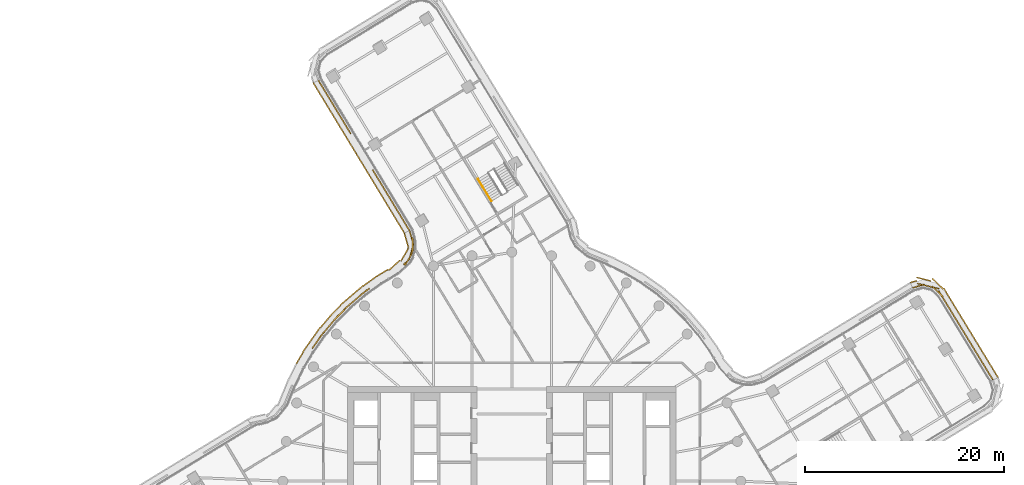
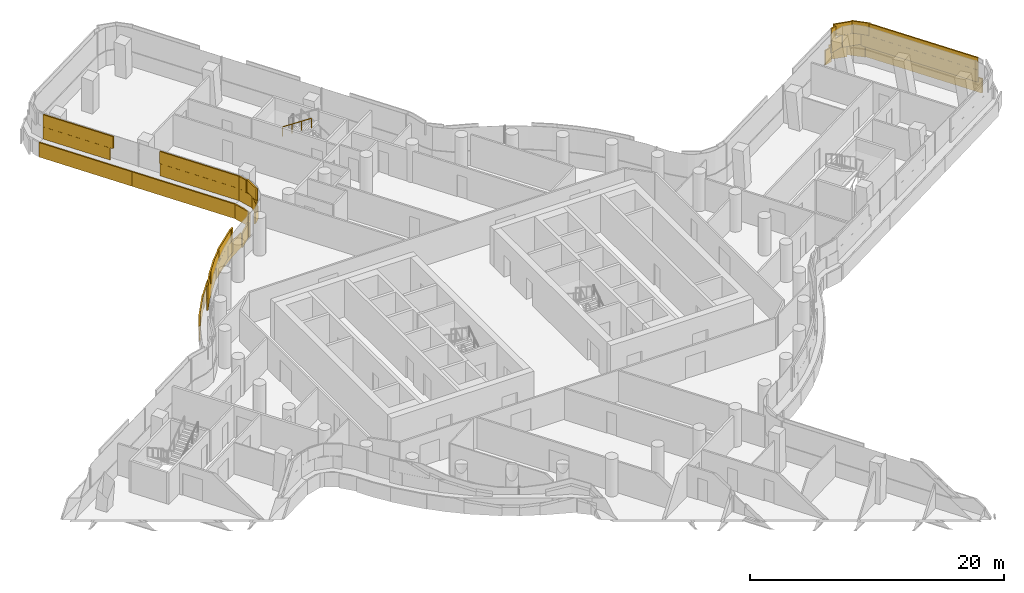
# One storey, part 33 of 35: 4 coverings, 1 railing.
"""IFC4 building model written with IfcOpenShell, lengths in metres."""

from ifc_helpers import new_model, si_unit, direction, frame, origin, origin_2d, place, context, subcontext, project, spatial, rectangle, circle, extrude, material, layer, layer_set, type_object, element, save


model = new_model("IFC4")

# Units and contexts
model_context = context("Model", 3, precision=1e-05, world=origin(), true_north=direction((0.0, 1.0)))
body_context = subcontext(model_context, "Body", "Model", "MODEL_VIEW")
ifc_project = project(units=[si_unit("LENGTHUNIT", "METRE"), si_unit("AREAUNIT", "SQUARE_METRE"), si_unit("VOLUMEUNIT", "CUBIC_METRE"), si_unit("PLANEANGLEUNIT", "RADIAN"), si_unit("MASSUNIT", "GRAM", prefix="KILO")], contexts=[model_context])

# Site, building, storey
site_placement = place(None, origin())
site = spatial("IfcSite", under=ifc_project, at=site_placement, CompositionType="ELEMENT")
building_placement = place(site_placement, origin())
building = spatial("IfcBuilding", under=site, at=building_placement, Name="Tamarind Cross Interchange Tower", CompositionType="ELEMENT")
storey_placement = place(building_placement, frame((0.0, 0.0, 148.0)))
storey = spatial("IfcBuildingStorey", under=building, at=storey_placement, Name="L36", CompositionType="ELEMENT", Elevation=148.0)

# Railing
ifc_material_1 = material(Name="Stair handrail")
railing_type = type_object("IfcRailingType", Name="Stair handrail", PredefinedType="HANDRAIL", material=ifc_material_1)
railing_placement = place(storey_placement, frame((-3.39111328125, 30.35546875, 2.04541015625)))
element("IfcRailing", 1, at=railing_placement, inside=storey, type_object=railing_type, Name="L36 ST4 stair handrail 2", PredefinedType="HANDRAIL", context=body_context, shape_type="SweptSolid", body=[
    extrude(circle(Radius=0.02392578125, at=origin_2d()), frame((0.0, 0.0, 0.8759765625), z_axis=(0.434962064386, -0.714283252872, 0.548276788869), x_axis=(0.854102440577, 0.520104817321, 0.0)), (0.0, 0.0, 1.0), 3.10888671875),
    extrude(circle(Radius=0.02099609375, at=origin_2d()), origin(), (0.0, 0.0, 1.0), 0.851806640625),
    extrude(circle(Radius=0.02099609375, at=origin_2d()), frame((0.45068359375, -0.740234375, 0.568115234375)), (0.0, 0.0, 1.0), 0.851806640625),
    extrude(circle(Radius=0.02099609375, at=origin_2d()), frame((0.901611328125, -1.48046875, 1.136474609375)), (0.0, 0.0, 1.0), 0.851806640625),
    extrude(circle(Radius=0.02099609375, at=origin_2d()), frame((1.352294921875, -2.220703125, 1.70458984375)), (0.0, 0.0, 1.0), 0.851806640625),
])

# Coverings
ifc_material_2 = material(Name="Terracotta", Category="masonry")
ifc_layer = layer(ifc_material_2, 0.1201171875)
ifc_layer_set = layer_set([ifc_layer], Name="Terracotta")
covering_type = type_object("IfcCoveringType", Name="Terracotta baguette screen unit", PredefinedType="MOLDING", material=ifc_layer_set)
covering_1_placement = place(storey_placement, origin())
element("IfcCovering", 2, at=covering_1_placement, inside=storey, type_object=covering_type, Name="SCR-L36-08-00", PredefinedType="MOLDING", context=body_context, shape_type="SweptSolid", body=[
    extrude(rectangle(XDim=1.510009765625, YDim=0.1201171875, at=origin_2d()), frame((47.93798828125, 10.807861328125, 1.404052734375), z_axis=(0.0, 0.0, 1.0), x_axis=(-0.520175135901, 0.854059616181, 0.0)), (0.0, 0.0, 1.0), 1.1669921875),
    extrude(rectangle(XDim=1.52001953125, YDim=0.1201171875, at=origin_2d()), frame((47.15771484375, 12.0888671875, 1.404052734375), z_axis=(0.0, 0.0, 1.0), x_axis=(-0.520175135901, 0.854059616181, 0.0)), (0.0, 0.0, 1.0), 1.1669921875),
    extrude(rectangle(XDim=1.52001953125, YDim=0.1201171875, at=origin_2d()), frame((46.37744140625, 13.369873046875, 1.404052734375), z_axis=(0.0, 0.0, 1.0), x_axis=(-0.520175135901, 0.854059616181, 0.0)), (0.0, 0.0, 1.0), 1.1669921875),
    extrude(rectangle(XDim=1.52001953125, YDim=0.1201171875, at=origin_2d()), frame((45.59716796875, 14.651123046875, 1.404052734375), z_axis=(0.0, 0.0, 1.0), x_axis=(-0.520175135901, 0.854059616181, 0.0)), (0.0, 0.0, 1.0), 1.1669921875),
    extrude(rectangle(XDim=1.52001953125, YDim=0.1201171875, at=origin_2d()), frame((44.817138671875, 15.93212890625, 1.404052734375), z_axis=(0.0, 0.0, 1.0), x_axis=(-0.520175135901, 0.854059616181, 0.0)), (0.0, 0.0, 1.0), 1.1669921875),
    extrude(rectangle(XDim=1.52001953125, YDim=0.1201171875, at=origin_2d()), frame((44.036865234375, 17.213134765625, 1.404052734375), z_axis=(0.0, 0.0, 1.0), x_axis=(-0.520175135901, 0.854059616181, 0.0)), (0.0, 0.0, 1.0), 1.1669921875),
    extrude(rectangle(XDim=1.52001953125, YDim=0.1201171875, at=origin_2d()), frame((43.256591796875, 18.494384765625, 1.404052734375), z_axis=(0.0, 0.0, 1.0), x_axis=(-0.520175135901, 0.854059616181, 0.0)), (0.0, 0.0, 1.0), 1.1669921875),
    extrude(rectangle(XDim=1.52001953125, YDim=0.1201171875, at=origin_2d()), frame((42.1884765625, 19.504150390625, 1.404052734375), z_axis=(0.0, 0.0, 1.0), x_axis=(-0.971730712139, 0.236091980139, 0.0)), (0.0, 0.0, 1.0), 1.1669921875),
    extrude(rectangle(XDim=1.259521484375, YDim=0.1201171875, at=origin_2d()), frame((40.85791015625, 19.597900390625, 1.404052734375), z_axis=(0.0, 0.0, 1.0), x_axis=(-0.959589472419, -0.281403703639, 0.0)), (0.0, 0.0, 1.0), 1.1669921875),
    extrude(rectangle(XDim=0.760009765625, YDim=0.1201171875, at=origin_2d()), frame((48.133056640625, 10.487548828125, 2.5791015625), z_axis=(0.0, 0.0, 1.0), x_axis=(-0.520175135901, 0.854059616181, 0.0)), (0.0, 0.0, 1.0), 1.1669921875),
    extrude(rectangle(XDim=1.52001953125, YDim=0.1201171875, at=origin_2d()), frame((47.5478515625, 11.4482421875, 2.5791015625), z_axis=(0.0, 0.0, 1.0), x_axis=(-0.520175135901, 0.854059616181, 0.0)), (0.0, 0.0, 1.0), 1.1669921875),
    extrude(rectangle(XDim=1.52001953125, YDim=0.1201171875, at=origin_2d()), frame((46.767578125, 12.7294921875, 2.5791015625), z_axis=(0.0, 0.0, 1.0), x_axis=(-0.520175135901, 0.854059616181, 0.0)), (0.0, 0.0, 1.0), 1.1669921875),
    extrude(rectangle(XDim=1.52001953125, YDim=0.1201171875, at=origin_2d()), frame((45.9873046875, 14.010498046875, 2.5791015625), z_axis=(0.0, 0.0, 1.0), x_axis=(-0.520175135901, 0.854059616181, 0.0)), (0.0, 0.0, 1.0), 1.1669921875),
    extrude(rectangle(XDim=1.52001953125, YDim=0.1201171875, at=origin_2d()), frame((45.20703125, 15.29150390625, 2.5791015625), z_axis=(0.0, 0.0, 1.0), x_axis=(-0.520175135901, 0.854059616181, 0.0)), (0.0, 0.0, 1.0), 1.1669921875),
    extrude(rectangle(XDim=1.52001953125, YDim=0.1201171875, at=origin_2d()), frame((44.427001953125, 16.57275390625, 2.5791015625), z_axis=(0.0, 0.0, 1.0), x_axis=(-0.520175135901, 0.854059616181, 0.0)), (0.0, 0.0, 1.0), 1.1669921875),
    extrude(rectangle(XDim=1.52001953125, YDim=0.1201171875, at=origin_2d()), frame((43.646728515625, 17.853759765625, 2.5791015625), z_axis=(0.0, 0.0, 1.0), x_axis=(-0.520175135901, 0.854059616181, 0.0)), (0.0, 0.0, 1.0), 1.1669921875),
    extrude(rectangle(XDim=1.52001953125, YDim=0.1201171875, at=origin_2d()), frame((42.76953125, 19.056884765625, 2.5791015625), z_axis=(0.0, 0.0, 1.0), x_axis=(-0.72349749228, 0.6903270085, 0.0)), (0.0, 0.0, 1.0), 1.1669921875),
    extrude(rectangle(XDim=1.52001953125, YDim=0.1201171875, at=origin_2d()), frame((41.459716796875, 19.68115234375, 2.5791015625), z_axis=(0.0, 0.0, 1.0), x_axis=(-0.971730712139, 0.236091980139, 0.0)), (0.0, 0.0, 1.0), 1.1669921875),
    extrude(rectangle(XDim=0.509521484375, YDim=0.1201171875, at=origin_2d()), frame((40.498046875, 19.4921875, 2.5791015625), z_axis=(0.0, 0.0, 1.0), x_axis=(-0.959589472419, -0.281403703639, 0.0)), (0.0, 0.0, 1.0), 1.1669921875),
    extrude(rectangle(XDim=1.510009765625, YDim=0.1201171875, at=origin_2d()), frame((48.465087890625, 11.046142578125, 0.00390625), z_axis=(0.0, 0.0, 1.0), x_axis=(-0.520175135901, 0.854059616181, 0.0)), (0.0, 0.0, 1.0), 1.39208984375),
    extrude(rectangle(XDim=1.52001953125, YDim=0.1201171875, at=origin_2d()), frame((47.687255859375, 12.322998046875, 0.00390625), z_axis=(0.0, 0.0, 1.0), x_axis=(-0.520175135901, 0.854059616181, 0.0)), (0.0, 0.0, 1.0), 1.39208984375),
    extrude(rectangle(XDim=1.52001953125, YDim=0.1201171875, at=origin_2d()), frame((46.906982421875, 13.60400390625, 0.00390625), z_axis=(0.0, 0.0, 1.0), x_axis=(-0.520175135901, 0.854059616181, 0.0)), (0.0, 0.0, 1.0), 1.39208984375),
    extrude(rectangle(XDim=1.52001953125, YDim=0.1201171875, at=origin_2d()), frame((46.126708984375, 14.885009765625, 0.00390625), z_axis=(0.0, 0.0, 1.0), x_axis=(-0.520175135901, 0.854059616181, 0.0)), (0.0, 0.0, 1.0), 1.39208984375),
    extrude(rectangle(XDim=1.52001953125, YDim=0.1201171875, at=origin_2d()), frame((45.3466796875, 16.166259765625, 0.00390625), z_axis=(0.0, 0.0, 1.0), x_axis=(-0.520175135901, 0.854059616181, 0.0)), (0.0, 0.0, 1.0), 1.39208984375),
    extrude(rectangle(XDim=1.52001953125, YDim=0.1201171875, at=origin_2d()), frame((44.56640625, 17.447265625, 0.00390625), z_axis=(0.0, 0.0, 1.0), x_axis=(-0.520175135901, 0.854059616181, 0.0)), (0.0, 0.0, 1.0), 1.39208984375),
    extrude(rectangle(XDim=1.52001953125, YDim=0.1201171875, at=origin_2d()), frame((43.7861328125, 18.728271484375, 0.00390625), z_axis=(0.0, 0.0, 1.0), x_axis=(-0.520175135901, 0.854059616181, 0.0)), (0.0, 0.0, 1.0), 1.39208984375),
    extrude(rectangle(XDim=1.52001953125, YDim=0.1201171875, at=origin_2d()), frame((42.787109375, 19.83349609375, 0.00390625), z_axis=(0.0, 0.0, 1.0), x_axis=(-0.72349749228, 0.6903270085, 0.0)), (0.0, 0.0, 1.0), 1.39208984375),
    extrude(rectangle(XDim=1.52001953125, YDim=0.1201171875, at=origin_2d()), frame((41.385498046875, 20.2900390625, 0.00390625), z_axis=(0.0, 0.0, 1.0), x_axis=(-0.971730712139, 0.236091980139, 0.0)), (0.0, 0.0, 1.0), 1.39208984375),
    extrude(rectangle(XDim=0.676513671875, YDim=0.1201171875, at=origin_2d()), frame((40.349365234375, 20.046875, 0.00390625), z_axis=(0.0, 0.0, 1.0), x_axis=(-0.959589472419, -0.281403703639, 0.0)), (0.0, 0.0, 1.0), 1.39208984375),
])
covering_2_placement = place(storey_placement, origin())
element("IfcCovering", 3, at=covering_2_placement, inside=storey, type_object=covering_type, Name="SCR-L36-13-00", PredefinedType="MOLDING", context=body_context, shape_type="SweptSolid", body=[
    extrude(rectangle(XDim=1.510009765625, YDim=0.1201171875, at=origin_2d()), frame((-19.033203125, 39.616943359375, 1.404052734375), z_axis=(0.0, 0.0, 1.0), x_axis=(0.518424670848, -0.855123301434, 0.0)), (0.0, 0.0, 1.0), 1.1669921875),
    extrude(rectangle(XDim=1.52001953125, YDim=0.1201171875, at=origin_2d()), frame((-18.255615234375, 38.334228515625, 1.404052734375), z_axis=(0.0, 0.0, 1.0), x_axis=(0.518424670848, -0.855123301434, 0.0)), (0.0, 0.0, 1.0), 1.1669921875),
    extrude(rectangle(XDim=1.52001953125, YDim=0.1201171875, at=origin_2d()), frame((-17.477783203125, 37.051513671875, 1.404052734375), z_axis=(0.0, 0.0, 1.0), x_axis=(0.518424670848, -0.855123301434, 0.0)), (0.0, 0.0, 1.0), 1.1669921875),
    extrude(rectangle(XDim=1.52001953125, YDim=0.1201171875, at=origin_2d()), frame((-16.7001953125, 35.76904296875, 1.404052734375), z_axis=(0.0, 0.0, 1.0), x_axis=(0.518424670848, -0.855123301434, 0.0)), (0.0, 0.0, 1.0), 1.1669921875),
    extrude(rectangle(XDim=0.760009765625, YDim=0.1201171875, at=origin_2d()), frame((-19.2275390625, 39.937744140625, 2.5791015625), z_axis=(0.0, 0.0, 1.0), x_axis=(0.518424670848, -0.855123301434, 0.0)), (0.0, 0.0, 1.0), 1.1669921875),
    extrude(rectangle(XDim=1.52001953125, YDim=0.1201171875, at=origin_2d()), frame((-18.644287109375, 38.9755859375, 2.5791015625), z_axis=(0.0, 0.0, 1.0), x_axis=(0.518424670848, -0.855123301434, 0.0)), (0.0, 0.0, 1.0), 1.1669921875),
    extrude(rectangle(XDim=1.52001953125, YDim=0.1201171875, at=origin_2d()), frame((-17.86669921875, 37.69287109375, 2.5791015625), z_axis=(0.0, 0.0, 1.0), x_axis=(0.518424670848, -0.855123301434, 0.0)), (0.0, 0.0, 1.0), 1.1669921875),
    extrude(rectangle(XDim=1.52001953125, YDim=0.1201171875, at=origin_2d()), frame((-17.089111328125, 36.410400390625, 2.5791015625), z_axis=(0.0, 0.0, 1.0), x_axis=(0.518424670848, -0.855123301434, 0.0)), (0.0, 0.0, 1.0), 1.1669921875),
    extrude(rectangle(XDim=1.04443359375, YDim=0.1201171875, at=origin_2d()), frame((-16.43212890625, 35.32666015625, 2.5791015625), z_axis=(0.0, 0.0, 1.0), x_axis=(0.518424670848, -0.855123301434, 0.0)), (0.0, 0.0, 1.0), 1.1669921875),
    extrude(rectangle(XDim=1.510009765625, YDim=0.1201171875, at=origin_2d()), frame((-19.560302734375, 39.379150390625, 0.00390625), z_axis=(0.0, 0.0, 1.0), x_axis=(0.518424670848, -0.855123301434, 0.0)), (0.0, 0.0, 1.0), 1.39208984375),
    extrude(rectangle(XDim=1.52001953125, YDim=0.1201171875, at=origin_2d()), frame((-18.78515625, 38.100830078125, 0.00390625), z_axis=(0.0, 0.0, 1.0), x_axis=(0.518424670848, -0.855123301434, 0.0)), (0.0, 0.0, 1.0), 1.39208984375),
    extrude(rectangle(XDim=1.52001953125, YDim=0.1201171875, at=origin_2d()), frame((-18.007568359375, 36.818115234375, 0.00390625), z_axis=(0.0, 0.0, 1.0), x_axis=(0.518424670848, -0.855123301434, 0.0)), (0.0, 0.0, 1.0), 1.39208984375),
    extrude(rectangle(XDim=1.52001953125, YDim=0.1201171875, at=origin_2d()), frame((-17.22998046875, 35.535400390625, 0.00390625), z_axis=(0.0, 0.0, 1.0), x_axis=(0.518424670848, -0.855123301434, 0.0)), (0.0, 0.0, 1.0), 1.39208984375),
    extrude(rectangle(XDim=1.52001953125, YDim=0.1201171875, at=origin_2d()), frame((-16.452392578125, 34.252685546875, 0.00390625), z_axis=(0.0, 0.0, 1.0), x_axis=(0.518424670848, -0.855123301434, 0.0)), (0.0, 0.0, 1.0), 1.39208984375),
    extrude(rectangle(XDim=0.893310546875, YDim=0.1201171875, at=origin_2d()), frame((-15.837158203125, 33.238037109375, 0.00390625), z_axis=(0.0, 0.0, 1.0), x_axis=(0.518424670848, -0.855123301434, 0.0)), (0.0, 0.0, 1.0), 1.39208984375),
])
covering_3_placement = place(storey_placement, origin())
element("IfcCovering", 4, at=covering_3_placement, inside=storey, type_object=covering_type, Name="SCR-L36-13-01", PredefinedType="MOLDING", context=body_context, shape_type="SweptSolid", body=[
    extrude(rectangle(XDim=1.52001953125, YDim=0.1201171875, at=origin_2d()), frame((-13.589599609375, 30.63818359375, 1.404052734375), z_axis=(0.0, 0.0, 1.0), x_axis=(0.518424670848, -0.855123301434, 0.0)), (0.0, 0.0, 1.0), 1.1669921875),
    extrude(rectangle(XDim=1.52001953125, YDim=0.1201171875, at=origin_2d()), frame((-12.81201171875, 29.35546875, 1.404052734375), z_axis=(0.0, 0.0, 1.0), x_axis=(0.518424670848, -0.855123301434, 0.0)), (0.0, 0.0, 1.0), 1.1669921875),
    extrude(rectangle(XDim=1.52001953125, YDim=0.1201171875, at=origin_2d()), frame((-12.034423828125, 28.07275390625, 1.404052734375), z_axis=(0.0, 0.0, 1.0), x_axis=(0.518424670848, -0.855123301434, 0.0)), (0.0, 0.0, 1.0), 1.1669921875),
    extrude(rectangle(XDim=1.52001953125, YDim=0.1201171875, at=origin_2d()), frame((-11.2568359375, 26.7900390625, 1.404052734375), z_axis=(0.0, 0.0, 1.0), x_axis=(0.518424670848, -0.855123301434, 0.0)), (0.0, 0.0, 1.0), 1.1669921875),
    extrude(rectangle(XDim=1.155029296875, YDim=0.1201171875, at=origin_2d()), frame((-10.571044921875, 25.6591796875, 1.404052734375), z_axis=(0.0, 0.0, 1.0), x_axis=(0.518424670848, -0.855123301434, 0.0)), (0.0, 0.0, 1.0), 1.1669921875),
    extrude(rectangle(XDim=0.775634765625, YDim=0.1201171875, at=origin_2d()), frame((-13.7880859375, 30.965576171875, 2.5791015625), z_axis=(0.0, 0.0, 1.0), x_axis=(0.518424670848, -0.855123301434, 0.0)), (0.0, 0.0, 1.0), 1.1669921875),
    extrude(rectangle(XDim=1.52001953125, YDim=0.1201171875, at=origin_2d()), frame((-13.200927734375, 29.996826171875, 2.5791015625), z_axis=(0.0, 0.0, 1.0), x_axis=(0.518424670848, -0.855123301434, 0.0)), (0.0, 0.0, 1.0), 1.1669921875),
    extrude(rectangle(XDim=1.52001953125, YDim=0.1201171875, at=origin_2d()), frame((-12.42333984375, 28.714111328125, 2.5791015625), z_axis=(0.0, 0.0, 1.0), x_axis=(0.518424670848, -0.855123301434, 0.0)), (0.0, 0.0, 1.0), 1.1669921875),
    extrude(rectangle(XDim=1.52001953125, YDim=0.1201171875, at=origin_2d()), frame((-11.6455078125, 27.431396484375, 2.5791015625), z_axis=(0.0, 0.0, 1.0), x_axis=(0.518424670848, -0.855123301434, 0.0)), (0.0, 0.0, 1.0), 1.1669921875),
    extrude(rectangle(XDim=1.52001953125, YDim=0.1201171875, at=origin_2d()), frame((-10.867919921875, 26.14892578125, 2.5791015625), z_axis=(0.0, 0.0, 1.0), x_axis=(0.518424670848, -0.855123301434, 0.0)), (0.0, 0.0, 1.0), 1.1669921875),
    extrude(rectangle(XDim=0.405029296875, YDim=0.1201171875, at=origin_2d()), frame((-10.376708984375, 25.338623046875, 2.5791015625), z_axis=(0.0, 0.0, 1.0), x_axis=(0.518424670848, -0.855123301434, 0.0)), (0.0, 0.0, 1.0), 1.1669921875),
    extrude(rectangle(XDim=0.626708984375, YDim=0.1201171875, at=origin_2d()), frame((-15.443115234375, 32.588134765625, 0.00390625), z_axis=(0.0, 0.0, 1.0), x_axis=(0.518424670848, -0.855123301434, 0.0)), (0.0, 0.0, 1.0), 1.39208984375),
    extrude(rectangle(XDim=1.52001953125, YDim=0.1201171875, at=origin_2d()), frame((-14.89697265625, 31.6875, 0.00390625), z_axis=(0.0, 0.0, 1.0), x_axis=(0.518424670848, -0.855123301434, 0.0)), (0.0, 0.0, 1.0), 1.39208984375),
    extrude(rectangle(XDim=1.52001953125, YDim=0.1201171875, at=origin_2d()), frame((-14.119384765625, 30.40478515625, 0.00390625), z_axis=(0.0, 0.0, 1.0), x_axis=(0.518424670848, -0.855123301434, 0.0)), (0.0, 0.0, 1.0), 1.39208984375),
    extrude(rectangle(XDim=1.52001953125, YDim=0.1201171875, at=origin_2d()), frame((-13.341796875, 29.1220703125, 0.00390625), z_axis=(0.0, 0.0, 1.0), x_axis=(0.518424670848, -0.855123301434, 0.0)), (0.0, 0.0, 1.0), 1.39208984375),
    extrude(rectangle(XDim=1.52001953125, YDim=0.1201171875, at=origin_2d()), frame((-12.564208984375, 27.83935546875, 0.00390625), z_axis=(0.0, 0.0, 1.0), x_axis=(0.518424670848, -0.855123301434, 0.0)), (0.0, 0.0, 1.0), 1.39208984375),
    extrude(rectangle(XDim=1.52001953125, YDim=0.1201171875, at=origin_2d()), frame((-11.786376953125, 26.556640625, 0.00390625), z_axis=(0.0, 0.0, 1.0), x_axis=(0.518424670848, -0.855123301434, 0.0)), (0.0, 0.0, 1.0), 1.39208984375),
    extrude(rectangle(XDim=1.152587890625, YDim=0.1201171875, at=origin_2d()), frame((-11.10400390625, 25.43115234375, 0.00390625), z_axis=(0.0, 0.0, 1.0), x_axis=(0.518424670848, -0.855123301434, 0.0)), (0.0, 0.0, 1.0), 1.39208984375),
])
covering_4_placement = place(storey_placement, origin())
element("IfcCovering", 5, at=covering_4_placement, inside=storey, type_object=covering_type, Name="SCR-L36-14-00", PredefinedType="MOLDING", context=body_context, shape_type="SweptSolid", body=[
    extrude(rectangle(XDim=1.510009765625, YDim=0.1201171875, at=origin_2d()), frame((-10.0693359375, 24.4482421875, 1.404052734375), z_axis=(0.0, 0.0, 1.0), x_axis=(0.273234711933, -0.961947395752, 0.0)), (0.0, 0.0, 1.0), 1.1669921875),
    extrude(rectangle(XDim=1.52001953125, YDim=0.1201171875, at=origin_2d()), frame((-10.1025390625, 22.984130859375, 1.404052734375), z_axis=(0.0, 0.0, 1.0), x_axis=(-0.260798939915, -0.965393139057, 0.0)), (0.0, 0.0, 1.0), 1.1669921875),
    extrude(rectangle(XDim=0.739990234375, YDim=0.1201171875, at=origin_2d()), frame((-10.59521484375, 22.0078125, 1.404052734375), z_axis=(0.0, 0.0, 1.0), x_axis=(-0.740492467993, -0.672064658233, 0.0)), (0.0, 0.0, 1.0), 1.1669921875),
    extrude(rectangle(XDim=1.079833984375, YDim=0.1201171875, at=origin_2d()), frame((-14.730224609375, 19.048095703125, 1.404052734375), z_axis=(0.0, 0.0, 1.0), x_axis=(-0.811340475102, -0.584573890505, 0.0)), (0.0, 0.0, 1.0), 1.1669921875),
    extrude(rectangle(XDim=1.52001953125, YDim=0.1201171875, at=origin_2d()), frame((-15.71630859375, 18.22509765625, 1.404052734375), z_axis=(0.0, 0.0, 1.0), x_axis=(-0.760295606781, -0.64957723968, 0.0)), (0.0, 0.0, 1.0), 1.1669921875),
    extrude(rectangle(XDim=1.52001953125, YDim=0.1201171875, at=origin_2d()), frame((-16.822021484375, 17.213623046875, 1.404052734375), z_axis=(0.0, 0.0, 1.0), x_axis=(-0.704057148523, -0.710143317658, 0.0)), (0.0, 0.0, 1.0), 1.1669921875),
    extrude(rectangle(XDim=1.52001953125, YDim=0.1201171875, at=origin_2d()), frame((-17.87060546875, 16.141357421875, 1.404052734375), z_axis=(0.0, 0.0, 1.0), x_axis=(-0.643009266048, -0.765858396687, 0.0)), (0.0, 0.0, 1.0), 1.1669921875),
    extrude(rectangle(XDim=1.52001953125, YDim=0.1201171875, at=origin_2d()), frame((-18.835205078125, 14.99267578125, 1.404052734375), z_axis=(0.0, 0.0, 1.0), x_axis=(-0.643009266048, -0.765858396687, 0.0)), (0.0, 0.0, 1.0), 1.1669921875),
    extrude(rectangle(XDim=1.30908203125, YDim=0.1201171875, at=origin_2d()), frame((-19.66748046875, 13.86865234375, 1.404052734375), z_axis=(0.0, 0.0, 1.0), x_axis=(-0.577568978284, -0.816341886298, 0.0)), (0.0, 0.0, 1.0), 1.1669921875),
    extrude(rectangle(XDim=0.760009765625, YDim=0.1201171875, at=origin_2d()), frame((-10.171875, 24.808837890625, 2.5791015625), z_axis=(0.0, 0.0, 1.0), x_axis=(0.273234711933, -0.961947395752, 0.0)), (0.0, 0.0, 1.0), 1.1669921875),
    extrude(rectangle(XDim=1.52001953125, YDim=0.1201171875, at=origin_2d()), frame((-9.952392578125, 23.714111328125, 2.5791015625), z_axis=(0.0, 0.0, 1.0), x_axis=(0.006452161906, -0.999979184587, 0.0)), (0.0, 0.0, 1.0), 1.1669921875),
    extrude(rectangle(XDim=1.489990234375, YDim=0.1201171875, at=origin_2d()), frame((-10.366455078125, 22.2998046875, 2.5791015625), z_axis=(0.0, 0.0, 1.0), x_axis=(-0.509110993291, -0.860700875166, 0.0)), (0.0, 0.0, 1.0), 1.1669921875),
    extrude(rectangle(XDim=0.329833984375, YDim=0.1201171875, at=origin_2d()), frame((-14.426025390625, 19.267333984375, 2.5791015625), z_axis=(0.0, 0.0, 1.0), x_axis=(-0.811340475102, -0.584573890505, 0.0)), (0.0, 0.0, 1.0), 1.1669921875),
    extrude(rectangle(XDim=1.52001953125, YDim=0.1201171875, at=origin_2d()), frame((-15.14599609375, 18.71240234375, 2.5791015625), z_axis=(0.0, 0.0, 1.0), x_axis=(-0.760295606781, -0.64957723968, 0.0)), (0.0, 0.0, 1.0), 1.1669921875),
    extrude(rectangle(XDim=1.52001953125, YDim=0.1201171875, at=origin_2d()), frame((-16.286376953125, 17.738037109375, 2.5791015625), z_axis=(0.0, 0.0, 1.0), x_axis=(-0.760295606781, -0.64957723968, 0.0)), (0.0, 0.0, 1.0), 1.1669921875),
    extrude(rectangle(XDim=1.52001953125, YDim=0.1201171875, at=origin_2d()), frame((-17.35009765625, 16.680908203125, 2.5791015625), z_axis=(0.0, 0.0, 1.0), x_axis=(-0.704057148523, -0.710143317658, 0.0)), (0.0, 0.0, 1.0), 1.1669921875),
    extrude(rectangle(XDim=1.52001953125, YDim=0.1201171875, at=origin_2d()), frame((-18.352783203125, 15.567138671875, 2.5791015625), z_axis=(0.0, 0.0, 1.0), x_axis=(-0.643009266048, -0.765858396687, 0.0)), (0.0, 0.0, 1.0), 1.1669921875),
    extrude(rectangle(XDim=1.52001953125, YDim=0.1201171875, at=origin_2d()), frame((-19.292236328125, 14.39892578125, 2.5791015625), z_axis=(0.0, 0.0, 1.0), x_axis=(-0.577568978284, -0.816341886298, 0.0)), (0.0, 0.0, 1.0), 1.1669921875),
    extrude(rectangle(XDim=0.55908203125, YDim=0.1201171875, at=origin_2d()), frame((-19.884033203125, 13.5625, 2.5791015625), z_axis=(0.0, 0.0, 1.0), x_axis=(-0.577568978284, -0.816341886298, 0.0)), (0.0, 0.0, 1.0), 1.1669921875),
    extrude(rectangle(XDim=1.510009765625, YDim=0.1201171875, at=origin_2d()), frame((-10.59912109375, 24.2119140625, 0.00390625), z_axis=(0.0, 0.0, 1.0), x_axis=(0.273234711933, -0.961947395752, 0.0)), (0.0, 0.0, 1.0), 1.39208984375),
    extrude(rectangle(XDim=1.52001953125, YDim=0.1201171875, at=origin_2d()), frame((-10.76171875, 22.75927734375, 0.00390625), z_axis=(0.0, 0.0, 1.0), x_axis=(-0.509110993291, -0.860700875166, 0.0)), (0.0, 0.0, 1.0), 1.39208984375),
    extrude(rectangle(XDim=1.52001953125, YDim=0.1201171875, at=origin_2d()), frame((-11.79833984375, 21.690673828125, 0.00390625), z_axis=(0.0, 0.0, 1.0), x_axis=(-0.740492467993, -0.672064658233, 0.0)), (0.0, 0.0, 1.0), 1.39208984375),
    extrude(rectangle(XDim=1.52001953125, YDim=0.1201171875, at=origin_2d()), frame((-13.066162109375, 20.893798828125, 0.00390625), z_axis=(0.0, 0.0, 1.0), x_axis=(-0.856843065292, -0.515577308909, 0.0)), (0.0, 0.0, 1.0), 1.39208984375),
    extrude(rectangle(XDim=1.52001953125, YDim=0.1201171875, at=origin_2d()), frame((-14.310302734375, 20.05810546875, 0.00390625), z_axis=(0.0, 0.0, 1.0), x_axis=(-0.811340475102, -0.584573890505, 0.0)), (0.0, 0.0, 1.0), 1.39208984375),
    extrude(rectangle(XDim=1.52001953125, YDim=0.1201171875, at=origin_2d()), frame((-15.5087890625, 19.157470703125, 0.00390625), z_axis=(0.0, 0.0, 1.0), x_axis=(-0.760295606781, -0.64957723968, 0.0)), (0.0, 0.0, 1.0), 1.39208984375),
    extrude(rectangle(XDim=1.52001953125, YDim=0.1201171875, at=origin_2d()), frame((-16.649169921875, 18.18310546875, 0.00390625), z_axis=(0.0, 0.0, 1.0), x_axis=(-0.760295606781, -0.64957723968, 0.0)), (0.0, 0.0, 1.0), 1.39208984375),
    extrude(rectangle(XDim=1.52001953125, YDim=0.1201171875, at=origin_2d()), frame((-17.71484375, 17.12841796875, 0.00390625), z_axis=(0.0, 0.0, 1.0), x_axis=(-0.704057148523, -0.710143317658, 0.0)), (0.0, 0.0, 1.0), 1.39208984375),
    extrude(rectangle(XDim=1.52001953125, YDim=0.1201171875, at=origin_2d()), frame((-18.722900390625, 16.01904296875, 0.00390625), z_axis=(0.0, 0.0, 1.0), x_axis=(-0.643009266048, -0.765858396687, 0.0)), (0.0, 0.0, 1.0), 1.39208984375),
    extrude(rectangle(XDim=1.52001953125, YDim=0.1201171875, at=origin_2d()), frame((-19.6708984375, 14.857666015625, 0.00390625), z_axis=(0.0, 0.0, 1.0), x_axis=(-0.577568978284, -0.816341886298, 0.0)), (0.0, 0.0, 1.0), 1.39208984375),
    extrude(rectangle(XDim=1.52001953125, YDim=0.1201171875, at=origin_2d()), frame((-20.537109375, 13.633056640625, 0.00390625), z_axis=(0.0, 0.0, 1.0), x_axis=(-0.577568978284, -0.816341886298, 0.0)), (0.0, 0.0, 1.0), 1.39208984375),
    extrude(rectangle(XDim=1.381591796875, YDim=0.1201171875, at=origin_2d()), frame((-21.2841796875, 12.413818359375, 0.00390625), z_axis=(0.0, 0.0, 1.0), x_axis=(-0.508183308752, -0.861248933065, 0.0)), (0.0, 0.0, 1.0), 1.39208984375),
])

save(model, "model.ifc")
